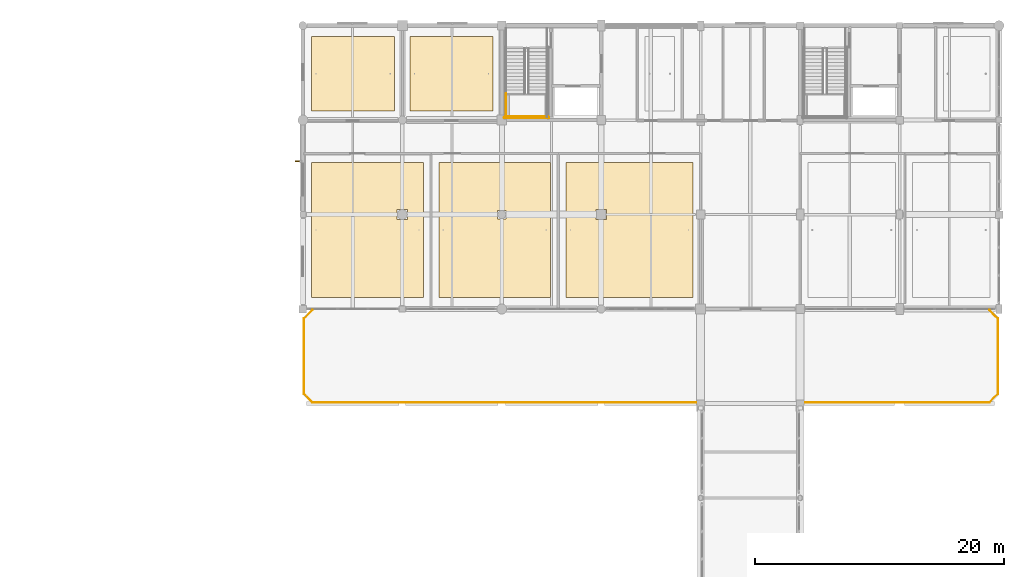
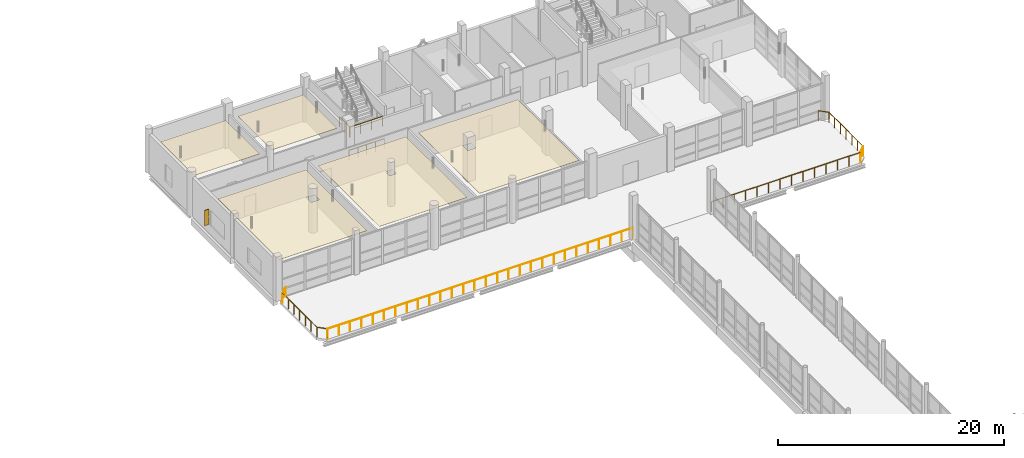
# One storey, part 139 of 141: 11 railings, 5 coverings, 1 shading device.
"""IFC4 building model written with IfcOpenShell, lengths in metres."""

from ifc_helpers import new_model, si_unit, direction, frame, origin, origin_2d, place, context, subcontext, project, spatial, polyline, rectangle, circle, outline, extrude, material, layer, layer_set, type_object, element, save


model = new_model("IFC4")

# Units and contexts
model_context = context("Model", 3, precision=1e-05, world=origin(), true_north=direction((0.0, 1.0)))
body_context = subcontext(model_context, "Body", "Model", "MODEL_VIEW")
ifc_project = project(units=[si_unit("LENGTHUNIT", "METRE"), si_unit("AREAUNIT", "SQUARE_METRE"), si_unit("VOLUMEUNIT", "CUBIC_METRE"), si_unit("PLANEANGLEUNIT", "RADIAN"), si_unit("MASSUNIT", "GRAM", prefix="KILO")], contexts=[model_context])

# Site, building, storey
site_placement = place(None, origin())
site = spatial("IfcSite", under=ifc_project, at=site_placement, CompositionType="ELEMENT")
building_placement = place(site_placement, origin())
building = spatial("IfcBuilding", under=site, at=building_placement, Name="Khelvaren Railside Concert Hall", CompositionType="ELEMENT")
storey_placement = place(building_placement, frame((0.0, 0.0, 10.199951171875)))
storey = spatial("IfcBuildingStorey", under=building, at=storey_placement, Name="L02", CompositionType="ELEMENT", Elevation=10.199951171875)

# Railings
ifc_material_1 = material(Name="Architectural stainless steel Grade 316", Category="steel")
railing_type_1 = type_object("IfcRailingType", Name="BAL77", PredefinedType="BALUSTRADE", material=ifc_material_1)
railing_1_placement = place(storey_placement, frame((183.219970703125, 83.679931640625, 0.0)))
element("IfcRailing", 1, at=railing_1_placement, inside=storey, type_object=railing_type_1, Name="Terrace Perimeter Balustrade V5-L02-SE", PredefinedType="BALUSTRADE", context=body_context, shape_type="SweptSolid", body=[
    extrude(circle(Radius=0.02392578125, at=origin_2d()), frame((0.0, 0.0, 1.076171875), z_axis=(0.707106781187, 0.707106781187, 0.0), x_axis=(-0.707106781187, 0.707106781187, 0.0)), (0.0, 0.0, 1.0), 0.989990234375),
    extrude(circle(Radius=0.02099609375, at=origin_2d()), origin(), (0.0, 0.0, 1.0), 1.052001953125),
    extrude(circle(Radius=0.02099609375, at=origin_2d()), frame((0.699951171875, 0.699951171875, 0.0)), (0.0, 0.0, 1.0), 1.052001953125),
])
railing_2_placement = place(storey_placement, frame((183.919921875, 84.3798828125, 0.0)))
element("IfcRailing", 2, at=railing_2_placement, inside=storey, type_object=railing_type_1, Name="Terrace Perimeter Balustrade V5-L02-E", PredefinedType="BALUSTRADE", context=body_context, shape_type="SweptSolid", body=[
    extrude(circle(Radius=0.02392578125, at=origin_2d()), frame((0.0, 0.0, 1.076171875), z_axis=(0.0, 1.0, 0.0), x_axis=(-1.0, 0.0, 0.0)), (0.0, 0.0, 1.0), 6.0400390625),
    extrude(circle(Radius=0.02099609375, at=origin_2d()), origin(), (0.0, 0.0, 1.0), 1.052001953125),
    extrude(circle(Radius=0.02099609375, at=origin_2d()), frame((0.0, 1.006591796875, 0.0)), (0.0, 0.0, 1.0), 1.052001953125),
    extrude(circle(Radius=0.02099609375, at=origin_2d()), frame((0.0, 2.013427734375, 0.0)), (0.0, 0.0, 1.0), 1.052001953125),
    extrude(circle(Radius=0.02099609375, at=origin_2d()), frame((0.0, 3.02001953125, 0.0)), (0.0, 0.0, 1.0), 1.052001953125),
    extrude(circle(Radius=0.02099609375, at=origin_2d()), frame((0.0, 4.026611328125, 0.0)), (0.0, 0.0, 1.0), 1.052001953125),
    extrude(circle(Radius=0.02099609375, at=origin_2d()), frame((0.0, 5.033447265625, 0.0)), (0.0, 0.0, 1.0), 1.052001953125),
    extrude(circle(Radius=0.02099609375, at=origin_2d()), frame((0.0, 6.0400390625, 0.0)), (0.0, 0.0, 1.0), 1.052001953125),
])
railing_3_placement = place(storey_placement, frame((183.919921875, 90.419921875, 0.0)))
element("IfcRailing", 3, at=railing_3_placement, inside=storey, type_object=railing_type_1, Name="Terrace Perimeter Balustrade V5-L02-NE", PredefinedType="BALUSTRADE", context=body_context, shape_type="SweptSolid", body=[
    extrude(circle(Radius=0.02392578125, at=origin_2d()), frame((0.0, 0.0, 1.076171875), z_axis=(-0.706983473703, 0.707230067171, 0.0), x_axis=(-0.707230067171, -0.706983473703, 0.0)), (0.0, 0.0, 1.0), 0.989990234375),
    extrude(circle(Radius=0.02099609375, at=origin_2d()), origin(), (0.0, 0.0, 1.0), 1.052001953125),
    extrude(circle(Radius=0.02099609375, at=origin_2d()), frame((-0.699951171875, 0.7001953125, 0.0)), (0.0, 0.0, 1.0), 1.052001953125),
])
railing_4_placement = place(storey_placement, frame((128.780029296875, 91.1201171875, 0.0)))
element("IfcRailing", 4, at=railing_4_placement, inside=storey, type_object=railing_type_1, Name="Terrace Perimeter Balustrade V5-L02-NW", PredefinedType="BALUSTRADE", context=body_context, shape_type="SweptSolid", body=[
    extrude(circle(Radius=0.02392578125, at=origin_2d()), frame((0.0, 0.0, 1.076171875), z_axis=(-0.706983473703, -0.707230067171, 0.0), x_axis=(0.707230067171, -0.706983473703, 0.0)), (0.0, 0.0, 1.0), 0.989990234375),
    extrude(circle(Radius=0.02099609375, at=origin_2d()), origin(), (0.0, 0.0, 1.0), 1.052001953125),
    extrude(circle(Radius=0.02099609375, at=origin_2d()), frame((-0.699951171875, -0.7001953125, 0.0)), (0.0, 0.0, 1.0), 1.052001953125),
])
railing_5_placement = place(storey_placement, frame((128.080078125, 90.419921875, 0.0)))
element("IfcRailing", 5, at=railing_5_placement, inside=storey, type_object=railing_type_1, Name="Terrace Perimeter Balustrade V5-L02-W", PredefinedType="BALUSTRADE", context=body_context, shape_type="SweptSolid", body=[
    extrude(circle(Radius=0.02392578125, at=origin_2d()), frame((0.0, 0.0, 1.076171875), z_axis=(0.0, -1.0, 0.0), x_axis=(1.0, 0.0, 0.0)), (0.0, 0.0, 1.0), 6.0400390625),
    extrude(circle(Radius=0.02099609375, at=origin_2d()), origin(), (0.0, 0.0, 1.0), 1.052001953125),
    extrude(circle(Radius=0.02099609375, at=origin_2d()), frame((0.0, -1.006591796875, 0.0)), (0.0, 0.0, 1.0), 1.052001953125),
    extrude(circle(Radius=0.02099609375, at=origin_2d()), frame((0.0, -2.013427734375, 0.0)), (0.0, 0.0, 1.0), 1.052001953125),
    extrude(circle(Radius=0.02099609375, at=origin_2d()), frame((0.0, -3.02001953125, 0.0)), (0.0, 0.0, 1.0), 1.052001953125),
    extrude(circle(Radius=0.02099609375, at=origin_2d()), frame((0.0, -4.026611328125, 0.0)), (0.0, 0.0, 1.0), 1.052001953125),
    extrude(circle(Radius=0.02099609375, at=origin_2d()), frame((0.0, -5.033447265625, 0.0)), (0.0, 0.0, 1.0), 1.052001953125),
    extrude(circle(Radius=0.02099609375, at=origin_2d()), frame((0.0, -6.0400390625, 0.0)), (0.0, 0.0, 1.0), 1.052001953125),
])
railing_6_placement = place(storey_placement, frame((128.080078125, 84.3798828125, 0.0)))
element("IfcRailing", 6, at=railing_6_placement, inside=storey, type_object=railing_type_1, Name="Terrace Perimeter Balustrade V5-L02-SW", PredefinedType="BALUSTRADE", context=body_context, shape_type="SweptSolid", body=[
    extrude(circle(Radius=0.02392578125, at=origin_2d()), frame((0.0, 0.0, 1.076171875), z_axis=(0.707106781187, -0.707106781187, 0.0), x_axis=(0.707106781187, 0.707106781187, 0.0)), (0.0, 0.0, 1.0), 0.989990234375),
    extrude(circle(Radius=0.02099609375, at=origin_2d()), origin(), (0.0, 0.0, 1.0), 1.052001953125),
    extrude(circle(Radius=0.02099609375, at=origin_2d()), frame((0.699951171875, -0.699951171875, 0.0)), (0.0, 0.0, 1.0), 1.052001953125),
])
railing_7_placement = place(storey_placement, frame((128.780029296875, 83.679931640625, 0.0)))
element("IfcRailing", 7, at=railing_7_placement, inside=storey, type_object=railing_type_1, Name="Terrace Perimeter Balustrade V5-L02-S1", PredefinedType="BALUSTRADE", context=body_context, shape_type="SweptSolid", body=[
    extrude(circle(Radius=0.02392578125, at=origin_2d()), frame((0.0, 0.0, 1.076171875), z_axis=(1.0, 0.0, 0.0), x_axis=(0.0, 1.0, 0.0)), (0.0, 0.0, 1.0), 31.219970703125),
    extrude(circle(Radius=0.02099609375, at=origin_2d()), origin(), (0.0, 0.0, 1.0), 1.052001953125),
    extrude(circle(Radius=0.02099609375, at=origin_2d()), frame((1.15625, 0.0, 0.0)), (0.0, 0.0, 1.0), 1.052001953125),
    extrude(circle(Radius=0.02099609375, at=origin_2d()), frame((2.3125, 0.0, 0.0)), (0.0, 0.0, 1.0), 1.052001953125),
    extrude(circle(Radius=0.02099609375, at=origin_2d()), frame((3.468994140625, 0.0, 0.0)), (0.0, 0.0, 1.0), 1.052001953125),
    extrude(circle(Radius=0.02099609375, at=origin_2d()), frame((4.625244140625, 0.0, 0.0)), (0.0, 0.0, 1.0), 1.052001953125),
    extrude(circle(Radius=0.02099609375, at=origin_2d()), frame((5.781494140625, 0.0, 0.0)), (0.0, 0.0, 1.0), 1.052001953125),
    extrude(circle(Radius=0.02099609375, at=origin_2d()), frame((6.937744140625, 0.0, 0.0)), (0.0, 0.0, 1.0), 1.052001953125),
    extrude(circle(Radius=0.02099609375, at=origin_2d()), frame((8.093994140625, 0.0, 0.0)), (0.0, 0.0, 1.0), 1.052001953125),
    extrude(circle(Radius=0.02099609375, at=origin_2d()), frame((9.250244140625, 0.0, 0.0)), (0.0, 0.0, 1.0), 1.052001953125),
    extrude(circle(Radius=0.02099609375, at=origin_2d()), frame((10.40673828125, 0.0, 0.0)), (0.0, 0.0, 1.0), 1.052001953125),
    extrude(circle(Radius=0.02099609375, at=origin_2d()), frame((11.56298828125, 0.0, 0.0)), (0.0, 0.0, 1.0), 1.052001953125),
    extrude(circle(Radius=0.02099609375, at=origin_2d()), frame((12.71923828125, 0.0, 0.0)), (0.0, 0.0, 1.0), 1.052001953125),
    extrude(circle(Radius=0.02099609375, at=origin_2d()), frame((13.87548828125, 0.0, 0.0)), (0.0, 0.0, 1.0), 1.052001953125),
    extrude(circle(Radius=0.02099609375, at=origin_2d()), frame((15.03173828125, 0.0, 0.0)), (0.0, 0.0, 1.0), 1.052001953125),
    extrude(circle(Radius=0.02099609375, at=origin_2d()), frame((16.188232421875, 0.0, 0.0)), (0.0, 0.0, 1.0), 1.052001953125),
    extrude(circle(Radius=0.02099609375, at=origin_2d()), frame((17.344482421875, 0.0, 0.0)), (0.0, 0.0, 1.0), 1.052001953125),
    extrude(circle(Radius=0.02099609375, at=origin_2d()), frame((18.500732421875, 0.0, 0.0)), (0.0, 0.0, 1.0), 1.052001953125),
    extrude(circle(Radius=0.02099609375, at=origin_2d()), frame((19.656982421875, 0.0, 0.0)), (0.0, 0.0, 1.0), 1.052001953125),
    extrude(circle(Radius=0.02099609375, at=origin_2d()), frame((20.813232421875, 0.0, 0.0)), (0.0, 0.0, 1.0), 1.052001953125),
    extrude(circle(Radius=0.02099609375, at=origin_2d()), frame((21.9697265625, 0.0, 0.0)), (0.0, 0.0, 1.0), 1.052001953125),
    extrude(circle(Radius=0.02099609375, at=origin_2d()), frame((23.1259765625, 0.0, 0.0)), (0.0, 0.0, 1.0), 1.052001953125),
    extrude(circle(Radius=0.02099609375, at=origin_2d()), frame((24.2822265625, 0.0, 0.0)), (0.0, 0.0, 1.0), 1.052001953125),
    extrude(circle(Radius=0.02099609375, at=origin_2d()), frame((25.4384765625, 0.0, 0.0)), (0.0, 0.0, 1.0), 1.052001953125),
    extrude(circle(Radius=0.02099609375, at=origin_2d()), frame((26.5947265625, 0.0, 0.0)), (0.0, 0.0, 1.0), 1.052001953125),
    extrude(circle(Radius=0.02099609375, at=origin_2d()), frame((27.7509765625, 0.0, 0.0)), (0.0, 0.0, 1.0), 1.052001953125),
    extrude(circle(Radius=0.02099609375, at=origin_2d()), frame((28.907470703125, 0.0, 0.0)), (0.0, 0.0, 1.0), 1.052001953125),
    extrude(circle(Radius=0.02099609375, at=origin_2d()), frame((30.063720703125, 0.0, 0.0)), (0.0, 0.0, 1.0), 1.052001953125),
    extrude(circle(Radius=0.02099609375, at=origin_2d()), frame((31.219970703125, 0.0, 0.0)), (0.0, 0.0, 1.0), 1.052001953125),
])
railing_8_placement = place(storey_placement, frame((168.0, 83.679931640625, 0.0)))
element("IfcRailing", 8, at=railing_8_placement, inside=storey, type_object=railing_type_1, Name="Terrace Perimeter Balustrade V5-L02-S2", PredefinedType="BALUSTRADE", context=body_context, shape_type="SweptSolid", body=[
    extrude(circle(Radius=0.02392578125, at=origin_2d()), frame((0.0, 0.0, 1.076171875), z_axis=(1.0, 0.0, 0.0), x_axis=(0.0, 1.0, 0.0)), (0.0, 0.0, 1.0), 15.219970703125),
    extrude(circle(Radius=0.02099609375, at=origin_2d()), origin(), (0.0, 0.0, 1.0), 1.052001953125),
    extrude(circle(Radius=0.02099609375, at=origin_2d()), frame((1.170654296875, 0.0, 0.0)), (0.0, 0.0, 1.0), 1.052001953125),
    extrude(circle(Radius=0.02099609375, at=origin_2d()), frame((2.341552734375, 0.0, 0.0)), (0.0, 0.0, 1.0), 1.052001953125),
    extrude(circle(Radius=0.02099609375, at=origin_2d()), frame((3.51220703125, 0.0, 0.0)), (0.0, 0.0, 1.0), 1.052001953125),
    extrude(circle(Radius=0.02099609375, at=origin_2d()), frame((4.68310546875, 0.0, 0.0)), (0.0, 0.0, 1.0), 1.052001953125),
    extrude(circle(Radius=0.02099609375, at=origin_2d()), frame((5.853759765625, 0.0, 0.0)), (0.0, 0.0, 1.0), 1.052001953125),
    extrude(circle(Radius=0.02099609375, at=origin_2d()), frame((7.024658203125, 0.0, 0.0)), (0.0, 0.0, 1.0), 1.052001953125),
    extrude(circle(Radius=0.02099609375, at=origin_2d()), frame((8.1953125, 0.0, 0.0)), (0.0, 0.0, 1.0), 1.052001953125),
    extrude(circle(Radius=0.02099609375, at=origin_2d()), frame((9.3662109375, 0.0, 0.0)), (0.0, 0.0, 1.0), 1.052001953125),
    extrude(circle(Radius=0.02099609375, at=origin_2d()), frame((10.536865234375, 0.0, 0.0)), (0.0, 0.0, 1.0), 1.052001953125),
    extrude(circle(Radius=0.02099609375, at=origin_2d()), frame((11.707763671875, 0.0, 0.0)), (0.0, 0.0, 1.0), 1.052001953125),
    extrude(circle(Radius=0.02099609375, at=origin_2d()), frame((12.87841796875, 0.0, 0.0)), (0.0, 0.0, 1.0), 1.052001953125),
    extrude(circle(Radius=0.02099609375, at=origin_2d()), frame((14.04931640625, 0.0, 0.0)), (0.0, 0.0, 1.0), 1.052001953125),
    extrude(circle(Radius=0.02099609375, at=origin_2d()), frame((15.219970703125, 0.0, 0.0)), (0.0, 0.0, 1.0), 1.052001953125),
])

# Coverings
ifc_material_2 = material(Name="Mineral-wool acoustic baffle ceiling", Category="gypsum")
ifc_layer_1 = layer(ifc_material_2, 0.0400390625)
ifc_layer_set_1 = layer_set([ifc_layer_1], Name="Mineral-wool acoustic baffle ceiling")
covering_type_1 = type_object("IfcCoveringType", Name="CLG20", PredefinedType="CEILING", material=ifc_layer_set_1)
covering_1_placement = place(storey_placement, frame((0.0, 0.0, 3.41015625)))
element("IfcCovering", 9, at=covering_1_placement, inside=storey, type_object=covering_type_1, Name="Suspended Acoustic Ceiling Woodwind Individual Practice Studio 1", PredefinedType="CEILING", context=body_context, shape_type="SweptSolid", body=[
    extrude(outline(polyline([(128.7099609375, 92.1298828125), (137.68798828125, 92.1298828125), (137.68798828125, 102.969970703125), (128.7099609375, 102.969970703125), (128.7099609375, 92.1298828125)]), holes=[polyline([(135.5849609375, 98.385009765625), (136.4150390625, 98.385009765625), (136.4150390625, 99.215087890625), (135.5849609375, 99.215087890625), (135.5849609375, 98.385009765625)])]), origin(), (0.0, 0.0, 1.0), 0.039794921875),
])
covering_2_placement = place(storey_placement, frame((0.0, 0.0, 3.41015625)))
element("IfcCovering", 10, at=covering_2_placement, inside=storey, type_object=covering_type_1, Name="Suspended Acoustic Ceiling Piano Accompaniment Studio 3", PredefinedType="CEILING", context=body_context, shape_type="SweptSolid", body=[
    extrude(outline(polyline([(149.18603515625, 92.1298828125), (159.3701171875, 92.1298828125), (159.3701171875, 102.969970703125), (149.18603515625, 102.969970703125), (149.18603515625, 92.1298828125)]), holes=[polyline([(151.5849609375, 98.385009765625), (152.4150390625, 98.385009765625), (152.4150390625, 99.215087890625), (151.5849609375, 99.215087890625), (151.5849609375, 98.385009765625)])]), origin(), (0.0, 0.0, 1.0), 0.039794921875),
])
covering_3_placement = place(storey_placement, frame((0.0, 0.0, 3.41015625)))
element("IfcCovering", 11, at=covering_3_placement, inside=storey, type_object=covering_type_1, Name="Suspended Acoustic Ceiling Orchestra Personnel Office L02", PredefinedType="CEILING", context=body_context, shape_type="SweptSolid", body=[
    extrude(outline(polyline([(136.6298828125, 107.1298828125), (143.2900390625, 107.1298828125), (143.2900390625, 113.1201171875), (136.6298828125, 113.1201171875), (136.6298828125, 107.1298828125)])), origin(), (0.0, 0.0, 1.0), 0.039794921875),
])
ifc_material_3 = material(Name="Micro-perforated timber acoustic ceiling", Category="wood")
ifc_layer_2 = layer(ifc_material_3, 0.030029296875)
ifc_layer_set_2 = layer_set([ifc_layer_2], Name="Micro-perforated timber acoustic ceiling")
covering_type_2 = type_object("IfcCoveringType", Name="CLG77", PredefinedType="CEILING", material=ifc_layer_set_2)
covering_4_placement = place(storey_placement, frame((0.0, 0.0, 3.420166015625)))
element("IfcCovering", 12, at=covering_4_placement, inside=storey, type_object=covering_type_2, Name="Suspended Acoustic Ceiling Strings Individual Practice Studio 2", PredefinedType="CEILING", context=body_context, shape_type="SweptSolid", body=[
    extrude(outline(polyline([(138.947998046875, 92.1298828125), (147.926025390625, 92.1298828125), (147.926025390625, 102.969970703125), (138.947998046875, 102.969970703125), (138.947998046875, 92.1298828125)]), holes=[polyline([(143.659912109375, 98.4599609375), (144.340087890625, 98.4599609375), (144.340087890625, 99.139892578125), (143.659912109375, 99.139892578125), (143.659912109375, 98.4599609375)])]), origin(), (0.0, 0.0, 1.0), 0.02978515625),
])
covering_5_placement = place(storey_placement, frame((0.0, 0.0, 3.420166015625)))
element("IfcCovering", 13, at=covering_5_placement, inside=storey, type_object=covering_type_2, Name="Suspended Acoustic Ceiling Instrument Repair Studio L02", PredefinedType="CEILING", context=body_context, shape_type="SweptSolid", body=[
    extrude(outline(polyline([(128.7099609375, 107.1298828125), (135.3701171875, 107.1298828125), (135.3701171875, 113.1201171875), (128.7099609375, 113.1201171875), (128.7099609375, 107.1298828125)])), origin(), (0.0, 0.0, 1.0), 0.02978515625),
])

# Railings
ifc_material_4 = material(Name="Painted architectural steel", Category="steel")
railing_type_2 = type_object("IfcRailingType", Name="GRD86", PredefinedType="GUARDRAIL", material=ifc_material_4)
railing_9_placement = place(storey_placement, frame((144.35009765625, 108.52001953125, 2.400146484375)))
element("IfcRailing", 14, at=railing_9_placement, inside=storey, type_object=railing_type_2, Name="L02 ST-09 stair guard 3", PredefinedType="GUARDRAIL", context=body_context, shape_type="SweptSolid", body=[
    extrude(circle(Radius=0.02392578125, at=origin_2d()), frame((0.0, 0.0, 1.076171875), z_axis=(0.0, -1.0, 0.0), x_axis=(1.0, 0.0, 0.0)), (0.0, 0.0, 1.0), 1.880126953125),
    extrude(circle(Radius=0.02099609375, at=origin_2d()), origin(), (0.0, 0.0, 1.0), 1.052001953125),
    extrude(circle(Radius=0.02099609375, at=origin_2d()), frame((0.0, -0.93994140625, 0.0)), (0.0, 0.0, 1.0), 1.052001953125),
    extrude(circle(Radius=0.02099609375, at=origin_2d()), frame((0.0, -1.880126953125, 0.0)), (0.0, 0.0, 1.0), 1.052001953125),
])
railing_10_placement = place(storey_placement, frame((144.300048828125, 106.68994140625, 2.400146484375)))
element("IfcRailing", 15, at=railing_10_placement, inside=storey, type_object=railing_type_2, Name="L02 ST-09 stair guard 5", PredefinedType="GUARDRAIL", context=body_context, shape_type="SweptSolid", body=[
    extrude(circle(Radius=0.02392578125, at=origin_2d()), frame((0.0, 0.0, 1.076171875), z_axis=(1.0, 0.0, 0.0), x_axis=(0.0, 1.0, 0.0)), (0.0, 0.0, 1.0), 3.39990234375),
    extrude(circle(Radius=0.02099609375, at=origin_2d()), origin(), (0.0, 0.0, 1.0), 1.052001953125),
    extrude(circle(Radius=0.02099609375, at=origin_2d()), frame((1.13330078125, 0.0, 0.0)), (0.0, 0.0, 1.0), 1.052001953125),
    extrude(circle(Radius=0.02099609375, at=origin_2d()), frame((2.2666015625, 0.0, 0.0)), (0.0, 0.0, 1.0), 1.052001953125),
    extrude(circle(Radius=0.02099609375, at=origin_2d()), frame((3.39990234375, 0.0, 0.0)), (0.0, 0.0, 1.0), 1.052001953125),
])
railing_11_placement = place(storey_placement, frame((144.199951171875, 106.590087890625, 0.0)))
element("IfcRailing", 16, at=railing_11_placement, inside=storey, type_object=railing_type_2, Name="L02 ST-09 stair guard 12", PredefinedType="GUARDRAIL", context=body_context, shape_type="SweptSolid", body=[
    extrude(circle(Radius=0.02392578125, at=origin_2d()), frame((0.0, 0.0, 1.076171875), z_axis=(1.0, 0.0, 0.0), x_axis=(0.0, 1.0, 0.0)), (0.0, 0.0, 1.0), 3.60009765625),
    extrude(circle(Radius=0.02099609375, at=origin_2d()), origin(), (0.0, 0.0, 1.0), 1.052001953125),
    extrude(circle(Radius=0.02099609375, at=origin_2d()), frame((0.89990234375, 0.0, 0.0)), (0.0, 0.0, 1.0), 1.052001953125),
    extrude(circle(Radius=0.02099609375, at=origin_2d()), frame((1.800048828125, 0.0, 0.0)), (0.0, 0.0, 1.0), 1.052001953125),
    extrude(circle(Radius=0.02099609375, at=origin_2d()), frame((2.7001953125, 0.0, 0.0)), (0.0, 0.0, 1.0), 1.052001953125),
    extrude(circle(Radius=0.02099609375, at=origin_2d()), frame((3.60009765625, 0.0, 0.0)), (0.0, 0.0, 1.0), 1.052001953125),
])

# Shading device
ifc_material_5 = material(Name="Anodised bronze aluminium 6063-T6", Category="aluminium")
shading_device_type = type_object("IfcShadingDeviceType", Name="SFN18", PredefinedType="USERDEFINED", material=ifc_material_5)
shading_device_placement = place(storey_placement, frame((127.6298828125, 103.080078125, 0.9501953125), z_axis=(0.0, 0.0, 1.0), x_axis=(0.0, 1.0, 0.0)))
element("IfcShadingDevice", 17, at=shading_device_placement, inside=storey, type_object=shading_device_type, Name="Bronze Solar Shading Fin EW-V5-L02-W-99", ObjectType="SOLAR FIN", PredefinedType="USERDEFINED", context=body_context, shape_type="SweptSolid", body=[
    extrude(rectangle(XDim=0.080078125, YDim=0.449951171875, at=origin_2d()), origin(), (0.0, 0.0, 1.0), 1.64990234375),
])

save(model, "model.ifc")
